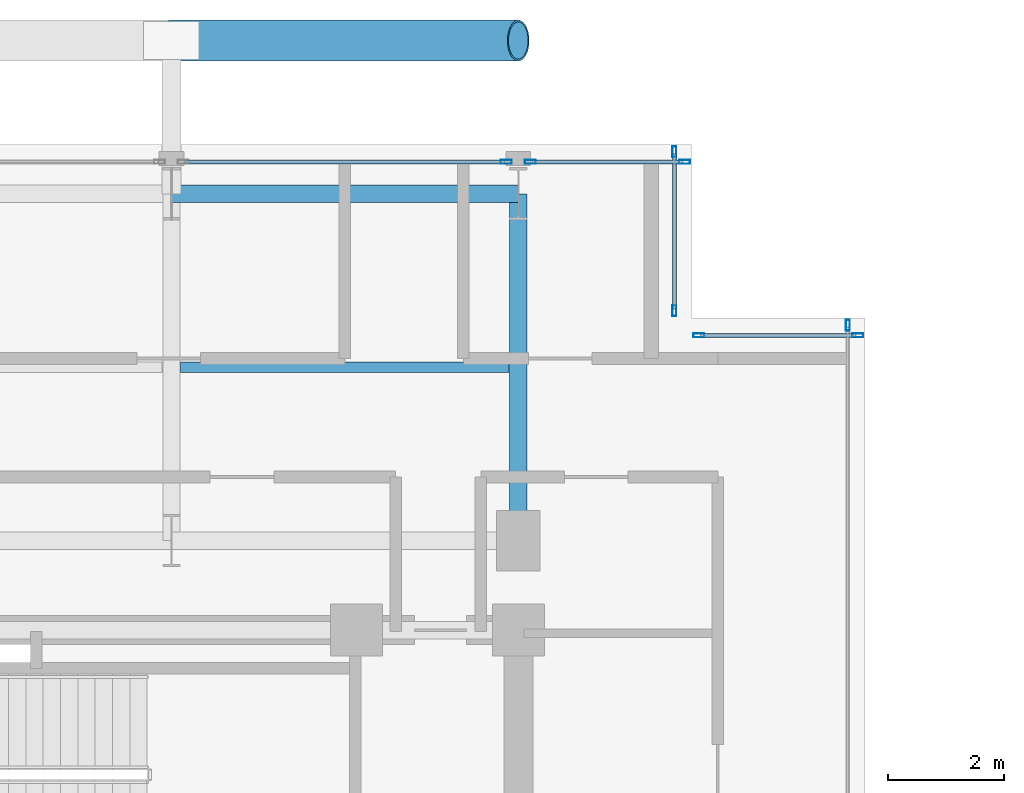
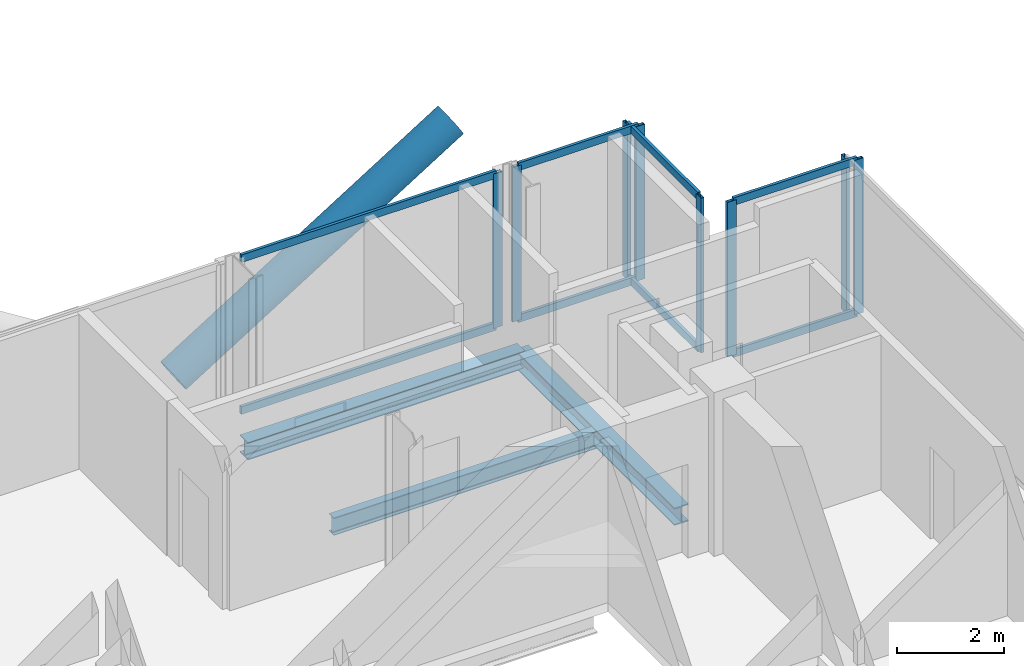
# One storey, part 15 of 26: 17 members, 3 beams, 5 elements without a shape of their own.
"""IFC4 building model written with IfcOpenShell, lengths in metres."""

from ifc_helpers import new_model, si_unit, direction, frame, origin, origin_2d, place, context, subcontext, project, spatial, hollow_rectangle, hollow_circle, i_section, extrude, material, layer, layer_set, material_profile, profile_set, type_object, element, aggregate, save


model = new_model("IFC4")

# Units and contexts
model_context = context("Model", 3, precision=1e-05, world=origin(), true_north=direction((0.0, 1.0)))
body_context = subcontext(model_context, "Body", "Model", "MODEL_VIEW")
ifc_project = project(units=[si_unit("LENGTHUNIT", "METRE"), si_unit("AREAUNIT", "SQUARE_METRE"), si_unit("VOLUMEUNIT", "CUBIC_METRE"), si_unit("PLANEANGLEUNIT", "RADIAN"), si_unit("MASSUNIT", "GRAM", prefix="KILO"), si_unit("THERMODYNAMICTEMPERATUREUNIT", "KELVIN"), si_unit("POWERUNIT", "WATT")], contexts=[model_context])

# Site, building, storey
site_placement = place(None, origin())
site = spatial("IfcSite", under=ifc_project, at=site_placement, CompositionType="ELEMENT")
building_placement = place(site_placement, origin())
building = spatial("IfcBuilding", under=site, at=building_placement, Name="Svarakhadi Broadcast Tower", CompositionType="ELEMENT")
storey_placement = place(building_placement, frame((0.0, 0.0, 184.199951171875)))
storey = spatial("IfcBuildingStorey", under=building, at=storey_placement, Name="L45", CompositionType="ELEMENT", Elevation=184.199951171875)

# Beam
ifc_material_1 = material(Name="Steel S355J2 (IS 2062 E350C)", Category="steel")
ifc_material_profile_1 = material_profile(ifc_material_1, i_section(OverallWidth=0.179931640625, OverallDepth=0.39990234375, WebThickness=0.008544921875, FlangeThickness=0.013427734375, FilletRadius=0.02099609375, at=origin_2d()), Name="NPB 400x180x66")
ifc_profile_set_1 = profile_set([ifc_material_profile_1], Name="Steel S355J2 (IS 2062 E350C)")
beam_type_1 = type_object("IfcBeamType", Name="Beam_NPB400", PredefinedType="BEAM", material=ifc_profile_set_1)
beam_placement = place(storey_placement, frame((12.159912109375, 32.14990234375, -0.409912109375), z_axis=(1.0, 0.0, 0.0), x_axis=(0.0, 1.0, 0.0)))
element("IfcBeam", 1, at=beam_placement, inside=storey, type_object=beam_type_1, Name="L45 Secondary Composite Beam SB012", PredefinedType="BEAM", context=body_context, shape_type="SweptSolid", body=[
    extrude(i_section(OverallWidth=0.179931640625, OverallDepth=0.39990234375, WebThickness=0.008544921875, FlangeThickness=0.013427734375, FilletRadius=0.02099609375, at=origin_2d()), origin(), (0.0, 0.0, 1.0), 5.68017578125),
])

# Curtain wall, member
ifc_material_2 = material(Name="Anodised Bronze Aluminium AA 6063-T6", Category="aluminium")
ifc_layer = layer(ifc_material_2, 0.18994140625)
ifc_layer_set = layer_set([ifc_layer], Name="Anodised Bronze Aluminium AA 6063-T6")
curtain_wall_type = type_object("IfcCurtainWallType", Name="CW_Sys_04", PredefinedType="NOTDEFINED", material=ifc_layer_set)
curtain_wall_1_placement = place(storey_placement, origin())
curtain_wall_1 = element("IfcCurtainWall", 2, at=curtain_wall_1_placement, inside=storey, type_object=curtain_wall_type, Name="L45 Unitised Facade Curtain Wall 06 Bay 2", PredefinedType="NOTDEFINED")
ifc_material_profile_2 = material_profile(ifc_material_2, hollow_rectangle(XDim=0.070068359375, YDim=0.18994140625, WallThickness=0.005615234375, at=origin_2d()), Name="ALU MULLION 190x70x6")
ifc_profile_set_2 = profile_set([ifc_material_profile_2], Name="Anodised Bronze Aluminium AA 6063-T6")
member_type_1 = type_object("IfcMemberType", Name="CW_Sys_04_Mul", PredefinedType="MULLION", material=ifc_profile_set_2)
member_1_placement = place(storey_placement, frame((17.794921875, 35.699951171875, 0.0), z_axis=(0.0, 0.0, 1.0), x_axis=(0.0, 1.0, 0.0)))
member_1 = element("IfcMember", 3, at=member_1_placement, type_object=member_type_1, Name="CW-04 mullion 2", PredefinedType="MULLION", context=body_context, shape_type="SweptSolid", body=[
    extrude(hollow_rectangle(XDim=0.070068359375, YDim=0.18994140625, WallThickness=0.005615234375, at=origin_2d()), origin(), (0.0, 0.0, 1.0), 3.5400390625),
])

# Curtain wall, members
curtain_wall_2_placement = place(storey_placement, origin())
curtain_wall_2 = element("IfcCurtainWall", 4, at=curtain_wall_2_placement, inside=storey, type_object=curtain_wall_type, Name="L45 Unitised Facade Curtain Wall 06 Bay 3", PredefinedType="NOTDEFINED")
member_2_placement = place(storey_placement, frame((18.205078125, 35.699951171875, 0.0), z_axis=(0.0, 0.0, 1.0), x_axis=(0.0, 1.0, 0.0)))
member_2 = element("IfcMember", 5, at=member_2_placement, type_object=member_type_1, Name="CW-04 mullion 1", PredefinedType="MULLION", context=body_context, shape_type="SweptSolid", body=[
    extrude(hollow_rectangle(XDim=0.070068359375, YDim=0.18994140625, WallThickness=0.005615234375, at=origin_2d()), origin(), (0.0, 0.0, 1.0), 3.5400390625),
])
member_3_placement = place(storey_placement, frame((20.875, 35.699951171875, 0.0), z_axis=(0.0, 0.0, 1.0), x_axis=(0.0, 1.0, 0.0)))
member_3 = element("IfcMember", 6, at=member_3_placement, type_object=member_type_1, Name="CW-04 mullion 2", PredefinedType="MULLION", context=body_context, shape_type="SweptSolid", body=[
    extrude(hollow_rectangle(XDim=0.070068359375, YDim=0.18994140625, WallThickness=0.005615234375, at=origin_2d()), origin(), (0.0, 0.0, 1.0), 3.5400390625),
])

curtain_wall_3_placement = place(storey_placement, origin())
curtain_wall_3 = element("IfcCurtainWall", 7, at=curtain_wall_3_placement, inside=storey, type_object=curtain_wall_type, Name="L45 Unitised Facade Curtain Wall 07", PredefinedType="NOTDEFINED")
member_4_placement = place(storey_placement, frame((20.699951171875, 35.875, 0.0), z_axis=(0.0, 0.0, 1.0), x_axis=(1.0, 0.0, 0.0)))
member_4 = element("IfcMember", 8, at=member_4_placement, type_object=member_type_1, Name="CW-04 mullion 1", PredefinedType="MULLION", context=body_context, shape_type="SweptSolid", body=[
    extrude(hollow_rectangle(XDim=0.070068359375, YDim=0.18994140625, WallThickness=0.005615234375, at=origin_2d()), origin(), (0.0, 0.0, 1.0), 3.5400390625),
])
member_5_placement = place(storey_placement, frame((20.699951171875, 33.125, 0.0), z_axis=(0.0, 0.0, 1.0), x_axis=(1.0, 0.0, 0.0)))
member_5 = element("IfcMember", 9, at=member_5_placement, type_object=member_type_1, Name="CW-04 mullion 2", PredefinedType="MULLION", context=body_context, shape_type="SweptSolid", body=[
    extrude(hollow_rectangle(XDim=0.070068359375, YDim=0.18994140625, WallThickness=0.005615234375, at=origin_2d()), origin(), (0.0, 0.0, 1.0), 3.5400390625),
])

curtain_wall_4_placement = place(storey_placement, origin())
curtain_wall_4 = element("IfcCurtainWall", 10, at=curtain_wall_4_placement, inside=storey, type_object=curtain_wall_type, Name="L45 Unitised Facade Curtain Wall 08", PredefinedType="NOTDEFINED")
member_6_placement = place(storey_placement, frame((21.125, 32.699951171875, 0.0), z_axis=(0.0, 0.0, 1.0), x_axis=(0.0, 1.0, 0.0)))
member_6 = element("IfcMember", 11, at=member_6_placement, type_object=member_type_1, Name="CW-04 mullion 1", PredefinedType="MULLION", context=body_context, shape_type="SweptSolid", body=[
    extrude(hollow_rectangle(XDim=0.070068359375, YDim=0.18994140625, WallThickness=0.005615234375, at=origin_2d()), origin(), (0.0, 0.0, 1.0), 3.5400390625),
])
member_7_placement = place(storey_placement, frame((23.875, 32.699951171875, 0.0), z_axis=(0.0, 0.0, 1.0), x_axis=(0.0, 1.0, 0.0)))
member_7 = element("IfcMember", 12, at=member_7_placement, type_object=member_type_1, Name="CW-04 mullion 2", PredefinedType="MULLION", context=body_context, shape_type="SweptSolid", body=[
    extrude(hollow_rectangle(XDim=0.070068359375, YDim=0.18994140625, WallThickness=0.005615234375, at=origin_2d()), origin(), (0.0, 0.0, 1.0), 3.5400390625),
])

# Curtain wall, member
curtain_wall_5_placement = place(storey_placement, origin())
curtain_wall_5 = element("IfcCurtainWall", 13, at=curtain_wall_5_placement, inside=storey, type_object=curtain_wall_type, Name="L45 Unitised Facade Curtain Wall 09", PredefinedType="NOTDEFINED")
member_8_placement = place(storey_placement, frame((23.699951171875, 32.875, 0.0), z_axis=(0.0, 0.0, 1.0), x_axis=(1.0, 0.0, 0.0)))
member_8 = element("IfcMember", 14, at=member_8_placement, type_object=member_type_1, Name="CW-04 mullion 1", PredefinedType="MULLION", context=body_context, shape_type="SweptSolid", body=[
    extrude(hollow_rectangle(XDim=0.070068359375, YDim=0.18994140625, WallThickness=0.005615234375, at=origin_2d()), origin(), (0.0, 0.0, 1.0), 3.5400390625),
])
aggregate(curtain_wall_5, [member_8])

# Member
ifc_material_profile_3 = material_profile(ifc_material_2, hollow_rectangle(XDim=0.06494140625, YDim=0.175048828125, WallThickness=0.0048828125, at=origin_2d()), Name="ALU TRANSOM 175x65x5")
ifc_profile_set_3 = profile_set([ifc_material_profile_3], Name="Anodised Bronze Aluminium AA 6063-T6")
member_type_2 = type_object("IfcMemberType", Name="CW_Sys_04_Trn", PredefinedType="USERDEFINED", material=ifc_profile_set_3)
member_9_placement = place(storey_placement, frame((12.239990234375, 35.699951171875, 0.032470703125), z_axis=(1.0, 0.0, 0.0), x_axis=(0.0, 1.0, 0.0)))
member_9 = element("IfcMember", 15, at=member_9_placement, type_object=member_type_2, Name="CW-04 transom 1.1", ObjectType="TRANSOM", PredefinedType="USERDEFINED", context=body_context, shape_type="SweptSolid", body=[
    extrude(hollow_rectangle(XDim=0.06494140625, YDim=0.175048828125, WallThickness=0.0048828125, at=origin_2d()), origin(), (0.0, 0.0, 1.0), 5.52001953125),
])

member_10_placement = place(storey_placement, frame((12.239990234375, 35.699951171875, 3.507568359375), z_axis=(1.0, 0.0, 0.0), x_axis=(0.0, 1.0, 0.0)))
member_10 = element("IfcMember", 16, at=member_10_placement, type_object=member_type_2, Name="CW-04 transom 1.2", ObjectType="TRANSOM", PredefinedType="USERDEFINED", context=body_context, shape_type="SweptSolid", body=[
    extrude(hollow_rectangle(XDim=0.06494140625, YDim=0.175048828125, WallThickness=0.0048828125, at=origin_2d()), origin(), (0.0, 0.0, 1.0), 5.52001953125),
])

aggregate(curtain_wall_1, [member_1, member_9, member_10])

member_11_placement = place(storey_placement, frame((18.239990234375, 35.699951171875, 0.032470703125), z_axis=(1.0, 0.0, 0.0), x_axis=(0.0, 1.0, 0.0)))
member_11 = element("IfcMember", 17, at=member_11_placement, type_object=member_type_2, Name="CW-04 transom 1.1", ObjectType="TRANSOM", PredefinedType="USERDEFINED", context=body_context, shape_type="SweptSolid", body=[
    extrude(hollow_rectangle(XDim=0.06494140625, YDim=0.175048828125, WallThickness=0.0048828125, at=origin_2d()), origin(), (0.0, 0.0, 1.0), 2.60009765625),
])

member_12_placement = place(storey_placement, frame((18.239990234375, 35.699951171875, 3.507568359375), z_axis=(1.0, 0.0, 0.0), x_axis=(0.0, 1.0, 0.0)))
member_12 = element("IfcMember", 18, at=member_12_placement, type_object=member_type_2, Name="CW-04 transom 1.2", ObjectType="TRANSOM", PredefinedType="USERDEFINED", context=body_context, shape_type="SweptSolid", body=[
    extrude(hollow_rectangle(XDim=0.06494140625, YDim=0.175048828125, WallThickness=0.0048828125, at=origin_2d()), origin(), (0.0, 0.0, 1.0), 2.60009765625),
])

aggregate(curtain_wall_2, [member_2, member_3, member_11, member_12])

member_13_placement = place(storey_placement, frame((20.699951171875, 35.840087890625, 0.032470703125), z_axis=(0.0, -1.0, 0.0), x_axis=(1.0, 0.0, 0.0)))
member_13 = element("IfcMember", 19, at=member_13_placement, type_object=member_type_2, Name="CW-04 transom 1.1", ObjectType="TRANSOM", PredefinedType="USERDEFINED", context=body_context, shape_type="SweptSolid", body=[
    extrude(hollow_rectangle(XDim=0.06494140625, YDim=0.175048828125, WallThickness=0.0048828125, at=origin_2d()), origin(), (0.0, 0.0, 1.0), 2.68017578125),
])

member_14_placement = place(storey_placement, frame((20.699951171875, 35.840087890625, 3.507568359375), z_axis=(0.0, -1.0, 0.0), x_axis=(1.0, 0.0, 0.0)))
member_14 = element("IfcMember", 20, at=member_14_placement, type_object=member_type_2, Name="CW-04 transom 1.2", ObjectType="TRANSOM", PredefinedType="USERDEFINED", context=body_context, shape_type="SweptSolid", body=[
    extrude(hollow_rectangle(XDim=0.06494140625, YDim=0.175048828125, WallThickness=0.0048828125, at=origin_2d()), origin(), (0.0, 0.0, 1.0), 2.68017578125),
])

aggregate(curtain_wall_3, [member_4, member_5, member_13, member_14])

member_15_placement = place(storey_placement, frame((21.159912109375, 32.699951171875, 0.032470703125), z_axis=(1.0, 0.0, 0.0), x_axis=(0.0, 1.0, 0.0)))
member_15 = element("IfcMember", 21, at=member_15_placement, type_object=member_type_2, Name="CW-04 transom 1.1", ObjectType="TRANSOM", PredefinedType="USERDEFINED", context=body_context, shape_type="SweptSolid", body=[
    extrude(hollow_rectangle(XDim=0.06494140625, YDim=0.175048828125, WallThickness=0.0048828125, at=origin_2d()), origin(), (0.0, 0.0, 1.0), 2.68017578125),
])

member_16_placement = place(storey_placement, frame((21.159912109375, 32.699951171875, 3.507568359375), z_axis=(1.0, 0.0, 0.0), x_axis=(0.0, 1.0, 0.0)))
member_16 = element("IfcMember", 22, at=member_16_placement, type_object=member_type_2, Name="CW-04 transom 1.2", ObjectType="TRANSOM", PredefinedType="USERDEFINED", context=body_context, shape_type="SweptSolid", body=[
    extrude(hollow_rectangle(XDim=0.06494140625, YDim=0.175048828125, WallThickness=0.0048828125, at=origin_2d()), origin(), (0.0, 0.0, 1.0), 2.68017578125),
])

aggregate(curtain_wall_4, [member_6, member_7, member_15, member_16])

ifc_material_3 = material(Name="Steel S460ML (IS 2062 E450BR)", Category="steel")
ifc_material_profile_4 = material_profile(ifc_material_3, hollow_circle(Radius=0.35546875, WallThickness=0.034912109375, at=origin_2d()), Name="CHS 711x35")
ifc_profile_set_4 = profile_set([ifc_material_profile_4], Name="Steel S460ML (IS 2062 E450BR)")
member_type_3 = type_object("IfcMemberType", Name="Exo_Brace_CHS711", PredefinedType="BRACE", material=ifc_profile_set_4)
member_17_placement = place(storey_placement, frame((12.0, 37.800048828125, -0.371826171875), z_axis=(0.847998304005, 0.0, 0.529998940003), x_axis=(0.0, 1.0, 0.0)))
element("IfcMember", 23, at=member_17_placement, inside=storey, type_object=member_type_3, Name="L45 Exposed Bronze Exoskeleton Diagonal N09", PredefinedType="BRACE", context=body_context, shape_type="SweptSolid", body=[
    extrude(hollow_circle(Radius=0.35546875, WallThickness=0.034912109375, at=origin_2d()), origin(), (0.0, 0.0, 1.0), 7.075439453125),
])

# Beams
ifc_material_profile_5 = material_profile(ifc_material_1, i_section(OverallWidth=0.300048828125, OverallDepth=0.39990234375, WebThickness=0.013427734375, FlangeThickness=0.02392578125, FilletRadius=0.027099609375, at=origin_2d()), Name="WPB 400x300x155")
ifc_profile_set_5 = profile_set([ifc_material_profile_5], Name="Steel S355J2 (IS 2062 E350C)")
beam_type_2 = type_object("IfcBeamType", Name="Girder_WPB400", PredefinedType="USERDEFINED", material=ifc_profile_set_5)
for number, where, z_axis, x_axis, name in (
    (24, (12.0, 35.14990234375, -0.409912109375), (1.0, 0.0, 0.0), (0.0, 1.0, 0.0), "L45 Primary E-W Girder G032"),
    (25, (18.0, 29.14990234375, -0.409912109375), (0.0, 1.0, 0.0), (-1.0, 0.0, 0.0), "L45 Primary N-S Girder G050"),
):
    element("IfcBeam", number, at=place(storey_placement, frame(where, z_axis=z_axis, x_axis=x_axis)), inside=storey, type_object=beam_type_2, Name=name, ObjectType="GIRDER", PredefinedType="USERDEFINED", context=body_context, shape_type="SweptSolid", body=[
        extrude(i_section(OverallWidth=0.300048828125, OverallDepth=0.39990234375, WebThickness=0.013427734375, FlangeThickness=0.02392578125, FilletRadius=0.027099609375, at=origin_2d()), origin(), (0.0, 0.0, 1.0), 6.0),
    ])

save(model, "model.ifc")
